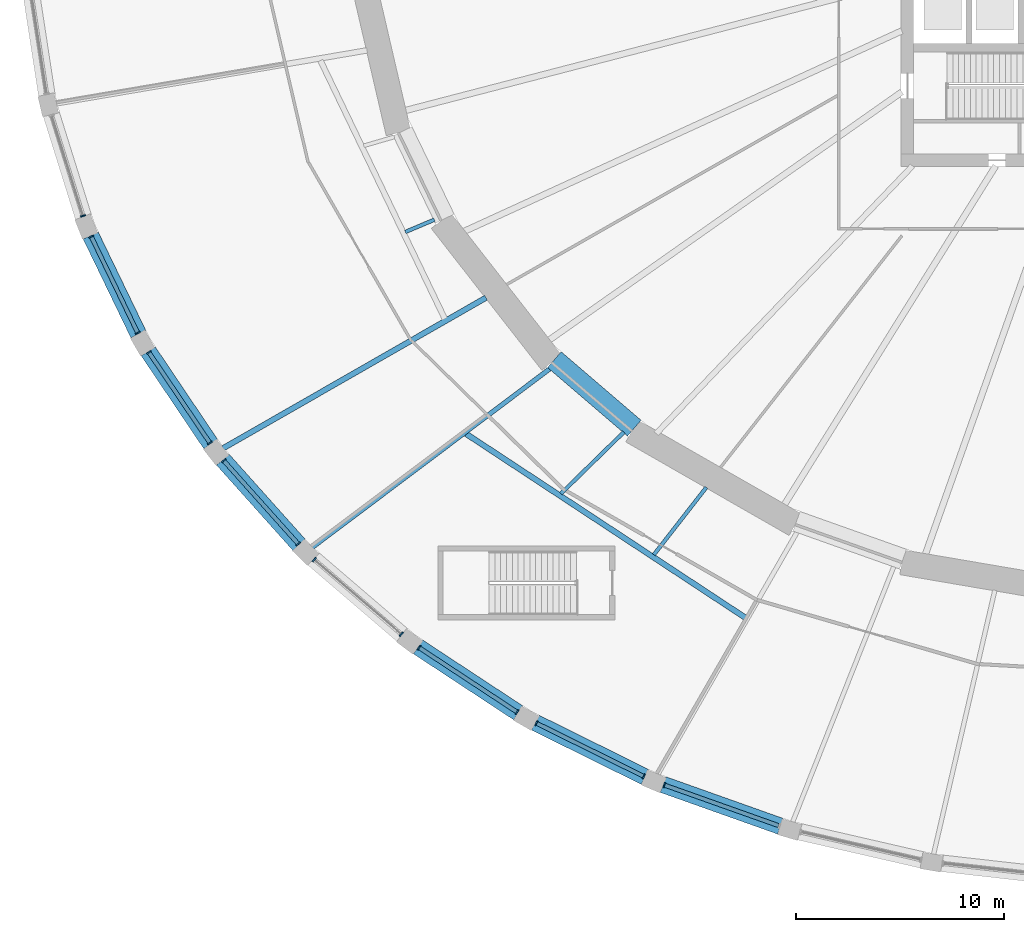
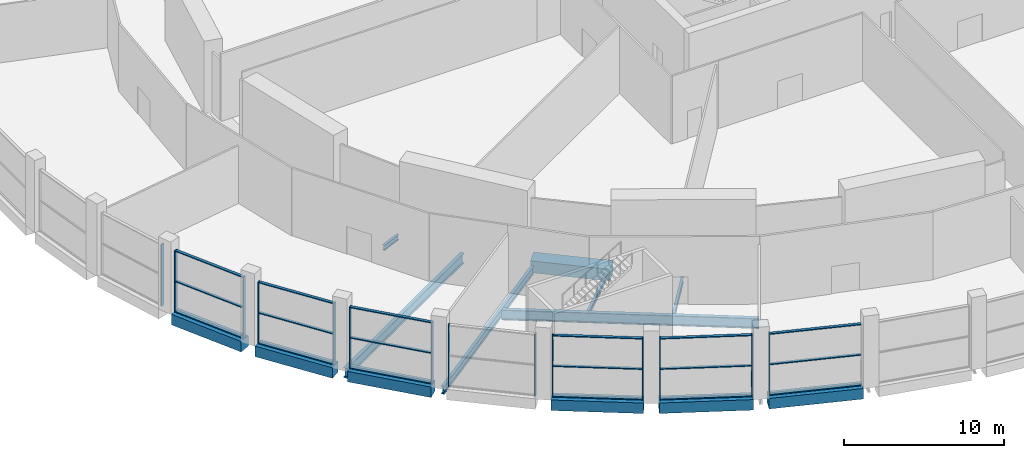
# One storey, part 2 of 29: 32 members, 13 beams, 8 elements without a shape of their own.
"""IFC4 building model written with IfcOpenShell, lengths in metres."""

from ifc_helpers import new_model, si_unit, direction, frame, origin, origin_2d, place, context, subcontext, project, spatial, rectangle, i_section, extrude, material, material_profile, profile_set, type_object, element, aggregate, save


model = new_model("IFC4")

# Units and contexts
model_context = context("Model", 3, precision=1e-05, world=origin(), true_north=direction((0.0, 1.0)))
body_context = subcontext(model_context, "Body", "Model", "MODEL_VIEW")
ifc_project = project(units=[si_unit("LENGTHUNIT", "METRE"), si_unit("AREAUNIT", "SQUARE_METRE"), si_unit("VOLUMEUNIT", "CUBIC_METRE"), si_unit("PLANEANGLEUNIT", "RADIAN"), si_unit("MASSUNIT", "GRAM", prefix="KILO")], contexts=[model_context])

# Site, building, storey
site_placement = place(None, origin())
site = spatial("IfcSite", under=ifc_project, at=site_placement, CompositionType="ELEMENT")
building_placement = place(site_placement, origin())
building = spatial("IfcBuilding", under=site, at=building_placement, Name="Halqa Exchange Tower", CompositionType="ELEMENT")
storey_placement = place(building_placement, frame((0.0, 0.0, 7.0)))
storey = spatial("IfcBuildingStorey", under=building, at=storey_placement, Name="L01", CompositionType="ELEMENT", Elevation=7.0)

# Curtain wall, member
ifc_material_1 = material(Name="Anodised aluminium and clear glass", Category="aluminium")
curtain_wall_type = type_object("IfcCurtainWallType", Name="Exchange hall glazing", PredefinedType="NOTDEFINED", material=ifc_material_1)
curtain_wall_1_placement = place(storey_placement, origin())
curtain_wall_1 = element("IfcCurtainWall", 1, at=curtain_wall_1_placement, inside=storey, type_object=curtain_wall_type, Name="Exchange hall glazing run P26", PredefinedType="NOTDEFINED")
ifc_material_2 = material(Name="Anodised aluminium", Category="aluminium")
ifc_material_profile_1 = material_profile(ifc_material_2, rectangle(XDim=0.25, YDim=0.070068359375, at=origin_2d()), Name="AL 70x250")
ifc_profile_set_1 = profile_set([ifc_material_profile_1], Name="Anodised aluminium")
member_type_1 = type_object("IfcMemberType", Name="Exchange hall glazing mullion 70 x 250", PredefinedType="MULLION", material=ifc_profile_set_1)
member_1_placement = place(storey_placement, frame((-51.293701171875, -14.3720703125, 0.0), z_axis=(0.0, 0.0, 1.0), x_axis=(0.95447130463, 0.298302746613, 0.0)))
member_1 = element("IfcMember", 2, at=member_1_placement, type_object=member_type_1, Name="P26 mullion 2", PredefinedType="MULLION", context=body_context, shape_type="SweptSolid", body=[
    extrude(rectangle(XDim=0.25, YDim=0.070068359375, at=origin_2d()), origin(), (0.0, 0.0, 1.0), 4.699951171875),
])
aggregate(curtain_wall_1, [member_1])

# Curtain wall, members
curtain_wall_2_placement = place(storey_placement, origin())
curtain_wall_2 = element("IfcCurtainWall", 3, at=curtain_wall_2_placement, inside=storey, type_object=curtain_wall_type, Name="Exchange hall glazing run P27", PredefinedType="NOTDEFINED")
member_2_placement = place(storey_placement, frame((-50.9013671875, -15.3642578125, 0.0), z_axis=(0.0, 0.0, 1.0), x_axis=(0.90043534892, 0.434989864727, 0.0)))
member_2 = element("IfcMember", 4, at=member_2_placement, type_object=member_type_1, Name="P27 mullion 1", PredefinedType="MULLION", context=body_context, shape_type="SweptSolid", body=[
    extrude(rectangle(XDim=0.25, YDim=0.070068359375, at=origin_2d()), origin(), (0.0, 0.0, 1.0), 4.699951171875),
])
member_3_placement = place(storey_placement, frame((-48.663818359375, -19.996337890625, 0.0), z_axis=(0.0, 0.0, 1.0), x_axis=(0.90043534892, 0.434989864727, 0.0)))
member_3 = element("IfcMember", 5, at=member_3_placement, type_object=member_type_1, Name="P27 mullion 2", PredefinedType="MULLION", context=body_context, shape_type="SweptSolid", body=[
    extrude(rectangle(XDim=0.25, YDim=0.070068359375, at=origin_2d()), origin(), (0.0, 0.0, 1.0), 4.699951171875),
])

curtain_wall_3_placement = place(storey_placement, origin())
curtain_wall_3 = element("IfcCurtainWall", 6, at=curtain_wall_3_placement, inside=storey, type_object=curtain_wall_type, Name="Exchange hall glazing run P28", PredefinedType="NOTDEFINED")
member_4_placement = place(storey_placement, frame((-48.13232421875, -20.921630859375, 0.0), z_axis=(0.0, 0.0, 1.0), x_axis=(0.8294895023, 0.55852230535, 0.0)))
member_4 = element("IfcMember", 7, at=member_4_placement, type_object=member_type_1, Name="P28 mullion 1", PredefinedType="MULLION", context=body_context, shape_type="SweptSolid", body=[
    extrude(rectangle(XDim=0.25, YDim=0.070068359375, at=origin_2d()), origin(), (0.0, 0.0, 1.0), 4.699951171875),
])
member_5_placement = place(storey_placement, frame((-45.1982421875, -25.279052734375, 0.0), z_axis=(0.0, 0.0, 1.0), x_axis=(0.8294895023, 0.55852230535, 0.0)))
member_5 = element("IfcMember", 8, at=member_5_placement, type_object=member_type_1, Name="P28 mullion 2", PredefinedType="MULLION", context=body_context, shape_type="SweptSolid", body=[
    extrude(rectangle(XDim=0.25, YDim=0.070068359375, at=origin_2d()), origin(), (0.0, 0.0, 1.0), 4.699951171875),
])

curtain_wall_4_placement = place(storey_placement, origin())
curtain_wall_4 = element("IfcCurtainWall", 9, at=curtain_wall_4_placement, inside=storey, type_object=curtain_wall_type, Name="Exchange hall glazing run P29", PredefinedType="NOTDEFINED")
member_6_placement = place(storey_placement, frame((-44.542724609375, -26.12158203125, 0.0), z_axis=(0.0, 0.0, 1.0), x_axis=(0.74514769466, 0.666899477539, 0.0)))
member_6 = element("IfcMember", 10, at=member_6_placement, type_object=member_type_1, Name="P29 mullion 1", PredefinedType="MULLION", context=body_context, shape_type="SweptSolid", body=[
    extrude(rectangle(XDim=0.25, YDim=0.070068359375, at=origin_2d()), origin(), (0.0, 0.0, 1.0), 4.699951171875),
])
member_7_placement = place(storey_placement, frame((-40.9560546875, -30.12890625, 0.0), z_axis=(0.0, 0.0, 1.0), x_axis=(0.74514769466, 0.666899477539, 0.0)))
member_7 = element("IfcMember", 11, at=member_7_placement, type_object=member_type_1, Name="P29 mullion 2", PredefinedType="MULLION", context=body_context, shape_type="SweptSolid", body=[
    extrude(rectangle(XDim=0.25, YDim=0.070068359375, at=origin_2d()), origin(), (0.0, 0.0, 1.0), 4.699951171875),
])

curtain_wall_5_placement = place(storey_placement, origin())
curtain_wall_5 = element("IfcCurtainWall", 12, at=curtain_wall_5_placement, inside=storey, type_object=curtain_wall_type, Name="Exchange hall glazing run P30", PredefinedType="NOTDEFINED")
member_8_placement = place(storey_placement, frame((-40.193115234375, -30.8759765625, 0.0), z_axis=(0.0, 0.0, 1.0), x_axis=(0.650910929175, 0.759154109704, 0.0)))
member_8 = element("IfcMember", 13, at=member_8_placement, type_object=member_type_1, Name="P30 mullion 1", PredefinedType="MULLION", context=body_context, shape_type="SweptSolid", body=[
    extrude(rectangle(XDim=0.25, YDim=0.070068359375, at=origin_2d()), origin(), (0.0, 0.0, 1.0), 4.699951171875),
])
member_9_placement = place(storey_placement, frame((-36.010986328125, -34.4619140625, 0.0), z_axis=(0.0, 0.0, 1.0), x_axis=(0.650910929175, 0.759154109704, 0.0)))
member_9 = element("IfcMember", 14, at=member_9_placement, type_object=member_type_1, Name="P30 mullion 2", PredefinedType="MULLION", context=body_context, shape_type="SweptSolid", body=[
    extrude(rectangle(XDim=0.25, YDim=0.070068359375, at=origin_2d()), origin(), (0.0, 0.0, 1.0), 4.699951171875),
])
aggregate(curtain_wall_5, [member_8, member_9])

curtain_wall_6_placement = place(storey_placement, origin())
curtain_wall_6 = element("IfcCurtainWall", 15, at=curtain_wall_6_placement, inside=storey, type_object=curtain_wall_type, Name="Exchange hall glazing run P31", PredefinedType="NOTDEFINED")
member_10_placement = place(storey_placement, frame((-35.15771484375, -35.104248046875, 0.0), z_axis=(0.0, 0.0, 1.0), x_axis=(0.549620040919, 0.835414753652, 0.0)))
member_10 = element("IfcMember", 16, at=member_10_placement, type_object=member_type_1, Name="P31 mullion 1", PredefinedType="MULLION", context=body_context, shape_type="SweptSolid", body=[
    extrude(rectangle(XDim=0.25, YDim=0.070068359375, at=origin_2d()), origin(), (0.0, 0.0, 1.0), 4.699951171875),
])
member_11_placement = place(storey_placement, frame((-30.44775390625, -38.202880859375, 0.0), z_axis=(0.0, 0.0, 1.0), x_axis=(0.549620040919, 0.835414753652, 0.0)))
member_11 = element("IfcMember", 17, at=member_11_placement, type_object=member_type_1, Name="P31 mullion 2", PredefinedType="MULLION", context=body_context, shape_type="SweptSolid", body=[
    extrude(rectangle(XDim=0.25, YDim=0.070068359375, at=origin_2d()), origin(), (0.0, 0.0, 1.0), 4.699951171875),
])

curtain_wall_7_placement = place(storey_placement, origin())
curtain_wall_7 = element("IfcCurtainWall", 18, at=curtain_wall_7_placement, inside=storey, type_object=curtain_wall_type, Name="Exchange hall glazing run P32", PredefinedType="NOTDEFINED")
member_12_placement = place(storey_placement, frame((-29.521240234375, -38.734375, 0.0), z_axis=(0.0, 0.0, 1.0), x_axis=(0.443653417058, 0.896198440934, 0.0)))
member_12 = element("IfcMember", 19, at=member_12_placement, type_object=member_type_1, Name="P32 mullion 1", PredefinedType="MULLION", context=body_context, shape_type="SweptSolid", body=[
    extrude(rectangle(XDim=0.25, YDim=0.070068359375, at=origin_2d()), origin(), (0.0, 0.0, 1.0), 4.699951171875),
])
member_13_placement = place(storey_placement, frame((-24.363037109375, -41.287841796875, 0.0), z_axis=(0.0, 0.0, 1.0), x_axis=(0.443653417058, 0.896198440934, 0.0)))
member_13 = element("IfcMember", 20, at=member_13_placement, type_object=member_type_1, Name="P32 mullion 2", PredefinedType="MULLION", context=body_context, shape_type="SweptSolid", body=[
    extrude(rectangle(XDim=0.25, YDim=0.070068359375, at=origin_2d()), origin(), (0.0, 0.0, 1.0), 4.699951171875),
])

# Curtain wall, member
curtain_wall_8_placement = place(storey_placement, origin())
curtain_wall_8 = element("IfcCurtainWall", 21, at=curtain_wall_8_placement, inside=storey, type_object=curtain_wall_type, Name="Exchange hall glazing run P33", PredefinedType="NOTDEFINED")
member_14_placement = place(storey_placement, frame((-23.37939453125, -41.7041015625, 0.0), z_axis=(0.0, 0.0, 1.0), x_axis=(0.334688348326, 0.942328875444, 0.0)))
member_14 = element("IfcMember", 22, at=member_14_placement, type_object=member_type_1, Name="P33 mullion 1", PredefinedType="MULLION", context=body_context, shape_type="SweptSolid", body=[
    extrude(rectangle(XDim=0.25, YDim=0.070068359375, at=origin_2d()), origin(), (0.0, 0.0, 1.0), 4.699951171875),
])

# Member
ifc_material_profile_2 = material_profile(ifc_material_2, rectangle(XDim=0.199951171875, YDim=0.070068359375, at=origin_2d()), Name="AL 70x200")
ifc_profile_set_2 = profile_set([ifc_material_profile_2], Name="Anodised aluminium")
member_type_2 = type_object("IfcMemberType", Name="Exchange hall glazing transom 70 x 200", PredefinedType="USERDEFINED", material=ifc_profile_set_2)
member_15_placement = place(storey_placement, frame((-50.88623046875, -15.395751953125, 0.034912109375), z_axis=(0.434989893806, -0.900435334872, 0.0), x_axis=(0.900435334872, 0.434989893806, 0.0)))
member_15 = element("IfcMember", 23, at=member_15_placement, type_object=member_type_2, Name="P27 transom 1.1", ObjectType="TRANSOM", PredefinedType="USERDEFINED", context=body_context, shape_type="SweptSolid", body=[
    extrude(rectangle(XDim=0.199951171875, YDim=0.070068359375, at=origin_2d()), origin(), (0.0, 0.0, 1.0), 5.07421875),
])

member_16_placement = place(storey_placement, frame((-50.88623046875, -15.395751953125, 2.35009765625), z_axis=(0.434989893806, -0.900435334872, 0.0), x_axis=(0.900435334872, 0.434989893806, 0.0)))
member_16 = element("IfcMember", 24, at=member_16_placement, type_object=member_type_2, Name="P27 transom 1.2", ObjectType="TRANSOM", PredefinedType="USERDEFINED", context=body_context, shape_type="SweptSolid", body=[
    extrude(rectangle(XDim=0.199951171875, YDim=0.070068359375, at=origin_2d()), origin(), (0.0, 0.0, 1.0), 5.07421875),
])

member_17_placement = place(storey_placement, frame((-50.88623046875, -15.395751953125, 4.6650390625), z_axis=(0.434989893806, -0.900435334872, 0.0), x_axis=(0.900435334872, 0.434989893806, 0.0)))
member_17 = element("IfcMember", 25, at=member_17_placement, type_object=member_type_2, Name="P27 transom 1.3", ObjectType="TRANSOM", PredefinedType="USERDEFINED", context=body_context, shape_type="SweptSolid", body=[
    extrude(rectangle(XDim=0.199951171875, YDim=0.070068359375, at=origin_2d()), origin(), (0.0, 0.0, 1.0), 5.07421875),
])

aggregate(curtain_wall_2, [member_2, member_3, member_15, member_16, member_17])

member_18_placement = place(storey_placement, frame((-48.11279296875, -20.95068359375, 0.034912109375), z_axis=(0.558520359636, -0.82949081241, 0.0), x_axis=(0.82949081241, 0.558520359636, 0.0)))
member_18 = element("IfcMember", 26, at=member_18_placement, type_object=member_type_2, Name="P28 transom 1.1", ObjectType="TRANSOM", PredefinedType="USERDEFINED", context=body_context, shape_type="SweptSolid", body=[
    extrude(rectangle(XDim=0.199951171875, YDim=0.070068359375, at=origin_2d()), origin(), (0.0, 0.0, 1.0), 5.183349609375),
])

member_19_placement = place(storey_placement, frame((-48.11279296875, -20.95068359375, 2.35009765625), z_axis=(0.558520359636, -0.82949081241, 0.0), x_axis=(0.82949081241, 0.558520359636, 0.0)))
member_19 = element("IfcMember", 27, at=member_19_placement, type_object=member_type_2, Name="P28 transom 1.2", ObjectType="TRANSOM", PredefinedType="USERDEFINED", context=body_context, shape_type="SweptSolid", body=[
    extrude(rectangle(XDim=0.199951171875, YDim=0.070068359375, at=origin_2d()), origin(), (0.0, 0.0, 1.0), 5.183349609375),
])

member_20_placement = place(storey_placement, frame((-48.11279296875, -20.95068359375, 4.6650390625), z_axis=(0.558520359636, -0.82949081241, 0.0), x_axis=(0.82949081241, 0.558520359636, 0.0)))
member_20 = element("IfcMember", 28, at=member_20_placement, type_object=member_type_2, Name="P28 transom 1.3", ObjectType="TRANSOM", PredefinedType="USERDEFINED", context=body_context, shape_type="SweptSolid", body=[
    extrude(rectangle(XDim=0.199951171875, YDim=0.070068359375, at=origin_2d()), origin(), (0.0, 0.0, 1.0), 5.183349609375),
])

aggregate(curtain_wall_3, [member_4, member_5, member_18, member_19, member_20])

member_21_placement = place(storey_placement, frame((-44.519287109375, -26.147705078125, 0.034912109375), z_axis=(0.666880900978, -0.745164320074, 0.0), x_axis=(0.745164320074, 0.666880900978, 0.0)))
member_21 = element("IfcMember", 29, at=member_21_placement, type_object=member_type_2, Name="P29 transom 1.1", ObjectType="TRANSOM", PredefinedType="USERDEFINED", context=body_context, shape_type="SweptSolid", body=[
    extrude(rectangle(XDim=0.199951171875, YDim=0.070068359375, at=origin_2d()), origin(), (0.0, 0.0, 1.0), 5.30810546875),
])

member_22_placement = place(storey_placement, frame((-44.519287109375, -26.147705078125, 2.35009765625), z_axis=(0.666880900978, -0.745164320074, 0.0), x_axis=(0.745164320074, 0.666880900978, 0.0)))
member_22 = element("IfcMember", 30, at=member_22_placement, type_object=member_type_2, Name="P29 transom 1.2", ObjectType="TRANSOM", PredefinedType="USERDEFINED", context=body_context, shape_type="SweptSolid", body=[
    extrude(rectangle(XDim=0.199951171875, YDim=0.070068359375, at=origin_2d()), origin(), (0.0, 0.0, 1.0), 5.30810546875),
])

member_23_placement = place(storey_placement, frame((-44.519287109375, -26.147705078125, 4.6650390625), z_axis=(0.666880900978, -0.745164320074, 0.0), x_axis=(0.745164320074, 0.666880900978, 0.0)))
member_23 = element("IfcMember", 31, at=member_23_placement, type_object=member_type_2, Name="P29 transom 1.3", ObjectType="TRANSOM", PredefinedType="USERDEFINED", context=body_context, shape_type="SweptSolid", body=[
    extrude(rectangle(XDim=0.199951171875, YDim=0.070068359375, at=origin_2d()), origin(), (0.0, 0.0, 1.0), 5.30810546875),
])

aggregate(curtain_wall_4, [member_6, member_7, member_21, member_22, member_23])

member_24_placement = place(storey_placement, frame((-35.12841796875, -35.12353515625, 0.034912109375), z_axis=(0.835401187087, -0.549640661355, 0.0), x_axis=(0.549640661355, 0.835401187087, 0.0)))
member_24 = element("IfcMember", 32, at=member_24_placement, type_object=member_type_2, Name="P31 transom 1.1", ObjectType="TRANSOM", PredefinedType="USERDEFINED", context=body_context, shape_type="SweptSolid", body=[
    extrude(rectangle(XDim=0.199951171875, YDim=0.070068359375, at=origin_2d()), origin(), (0.0, 0.0, 1.0), 5.56787109375),
])

member_25_placement = place(storey_placement, frame((-35.12841796875, -35.12353515625, 2.35009765625), z_axis=(0.835401187087, -0.549640661355, 0.0), x_axis=(0.549640661355, 0.835401187087, 0.0)))
member_25 = element("IfcMember", 33, at=member_25_placement, type_object=member_type_2, Name="P31 transom 1.2", ObjectType="TRANSOM", PredefinedType="USERDEFINED", context=body_context, shape_type="SweptSolid", body=[
    extrude(rectangle(XDim=0.199951171875, YDim=0.070068359375, at=origin_2d()), origin(), (0.0, 0.0, 1.0), 5.56787109375),
])

member_26_placement = place(storey_placement, frame((-35.12841796875, -35.12353515625, 4.6650390625), z_axis=(0.835401187087, -0.549640661355, 0.0), x_axis=(0.549640661355, 0.835401187087, 0.0)))
member_26 = element("IfcMember", 34, at=member_26_placement, type_object=member_type_2, Name="P31 transom 1.3", ObjectType="TRANSOM", PredefinedType="USERDEFINED", context=body_context, shape_type="SweptSolid", body=[
    extrude(rectangle(XDim=0.199951171875, YDim=0.070068359375, at=origin_2d()), origin(), (0.0, 0.0, 1.0), 5.56787109375),
])

aggregate(curtain_wall_6, [member_10, member_11, member_24, member_25, member_26])

member_27_placement = place(storey_placement, frame((-29.489990234375, -38.749755859375, 0.034912109375), z_axis=(0.89618076134, -0.443689128788, 0.0), x_axis=(0.443689128788, 0.89618076134, 0.0)))
member_27 = element("IfcMember", 35, at=member_27_placement, type_object=member_type_2, Name="P32 transom 1.1", ObjectType="TRANSOM", PredefinedType="USERDEFINED", context=body_context, shape_type="SweptSolid", body=[
    extrude(rectangle(XDim=0.199951171875, YDim=0.070068359375, at=origin_2d()), origin(), (0.0, 0.0, 1.0), 5.685791015625),
])

member_28_placement = place(storey_placement, frame((-29.489990234375, -38.749755859375, 2.35009765625), z_axis=(0.89618076134, -0.443689128788, 0.0), x_axis=(0.443689128788, 0.89618076134, 0.0)))
member_28 = element("IfcMember", 36, at=member_28_placement, type_object=member_type_2, Name="P32 transom 1.2", ObjectType="TRANSOM", PredefinedType="USERDEFINED", context=body_context, shape_type="SweptSolid", body=[
    extrude(rectangle(XDim=0.199951171875, YDim=0.070068359375, at=origin_2d()), origin(), (0.0, 0.0, 1.0), 5.685791015625),
])

member_29_placement = place(storey_placement, frame((-29.489990234375, -38.749755859375, 4.6650390625), z_axis=(0.89618076134, -0.443689128788, 0.0), x_axis=(0.443689128788, 0.89618076134, 0.0)))
member_29 = element("IfcMember", 37, at=member_29_placement, type_object=member_type_2, Name="P32 transom 1.3", ObjectType="TRANSOM", PredefinedType="USERDEFINED", context=body_context, shape_type="SweptSolid", body=[
    extrude(rectangle(XDim=0.199951171875, YDim=0.070068359375, at=origin_2d()), origin(), (0.0, 0.0, 1.0), 5.685791015625),
])

aggregate(curtain_wall_7, [member_12, member_13, member_27, member_28, member_29])

member_30_placement = place(storey_placement, frame((-23.346435546875, -41.7158203125, 0.034912109375), z_axis=(0.942328600126, -0.334689123493, 0.0), x_axis=(0.334689123493, 0.942328600126, 0.0)))
member_30 = element("IfcMember", 38, at=member_30_placement, type_object=member_type_2, Name="P33 transom 1.1", ObjectType="TRANSOM", PredefinedType="USERDEFINED", context=body_context, shape_type="SweptSolid", body=[
    extrude(rectangle(XDim=0.199951171875, YDim=0.070068359375, at=origin_2d()), origin(), (0.0, 0.0, 1.0), 5.785400390625),
])

member_31_placement = place(storey_placement, frame((-23.346435546875, -41.7158203125, 2.35009765625), z_axis=(0.942328600126, -0.334689123493, 0.0), x_axis=(0.334689123493, 0.942328600126, 0.0)))
member_31 = element("IfcMember", 39, at=member_31_placement, type_object=member_type_2, Name="P33 transom 1.2", ObjectType="TRANSOM", PredefinedType="USERDEFINED", context=body_context, shape_type="SweptSolid", body=[
    extrude(rectangle(XDim=0.199951171875, YDim=0.070068359375, at=origin_2d()), origin(), (0.0, 0.0, 1.0), 5.785400390625),
])

member_32_placement = place(storey_placement, frame((-23.346435546875, -41.7158203125, 4.6650390625), z_axis=(0.942328600126, -0.334689123493, 0.0), x_axis=(0.334689123493, 0.942328600126, 0.0)))
member_32 = element("IfcMember", 40, at=member_32_placement, type_object=member_type_2, Name="P33 transom 1.3", ObjectType="TRANSOM", PredefinedType="USERDEFINED", context=body_context, shape_type="SweptSolid", body=[
    extrude(rectangle(XDim=0.199951171875, YDim=0.070068359375, at=origin_2d()), origin(), (0.0, 0.0, 1.0), 5.785400390625),
])

aggregate(curtain_wall_8, [member_14, member_30, member_31, member_32])

# Beams
ifc_material_3 = material(Name="Steel S355", Category="steel")
ifc_material_profile_3 = material_profile(ifc_material_3, i_section(OverallWidth=0.179931640625, OverallDepth=0.39990234375, WebThickness=0.008544921875, FlangeThickness=0.013427734375, FilletRadius=0.02099609375, at=origin_2d()), Name="IPE 400")
ifc_profile_set_3 = profile_set([ifc_material_profile_3], Name="Steel S355")
beam_type_1 = type_object("IfcBeamType", Name="Floor beam IPE 400", PredefinedType="BEAM", material=ifc_profile_set_3)
beam_1_placement = place(storey_placement, frame((-25.322265625, -24.757080078125, -0.550048828125), z_axis=(-0.715007310884, -0.699116975464, 0.0), x_axis=(0.699116975464, -0.715007310884, 0.0)))
element("IfcBeam", 41, at=beam_1_placement, inside=storey, type_object=beam_type_1, Name="Radial beam 31a", PredefinedType="BEAM", context=body_context, shape_type="SweptSolid", body=[
    extrude(i_section(OverallWidth=0.179931640625, OverallDepth=0.39990234375, WebThickness=0.008544921875, FlangeThickness=0.013427734375, FilletRadius=0.02099609375, at=origin_2d()), origin(), (0.0, 0.0, 1.0), 4.22509765625),
])
beam_2_placement = place(storey_placement, frame((-21.3603515625, -27.40966796875, -0.550048828125), z_axis=(-0.614706293657, -0.788756091919, 0.0), x_axis=(0.788756091919, -0.614706293657, 0.0)))
element("IfcBeam", 42, at=beam_2_placement, inside=storey, type_object=beam_type_1, Name="Radial beam 32a", PredefinedType="BEAM", context=body_context, shape_type="SweptSolid", body=[
    extrude(i_section(OverallWidth=0.179931640625, OverallDepth=0.39990234375, WebThickness=0.008544921875, FlangeThickness=0.013427734375, FilletRadius=0.02099609375, at=origin_2d()), origin(), (0.0, 0.0, 1.0), 4.104248046875),
])
beam_3_placement = place(storey_placement, frame((-34.423583984375, -14.555419921875, -0.550048828125), z_axis=(-0.921076708702, -0.389381171459, 0.0), x_axis=(0.389381171459, -0.921076708702, 0.0)))
element("IfcBeam", 43, at=beam_3_placement, inside=storey, type_object=beam_type_1, Name="Radial beam 28a", PredefinedType="BEAM", context=body_context, shape_type="SweptSolid", body=[
    extrude(i_section(OverallWidth=0.179931640625, OverallDepth=0.39990234375, WebThickness=0.008544921875, FlangeThickness=0.013427734375, FilletRadius=0.02099609375, at=origin_2d()), origin(), (0.0, 0.0, 1.0), 1.5078125),
])
ifc_material_profile_4 = material_profile(ifc_material_3, i_section(OverallWidth=0.219970703125, OverallDepth=0.60009765625, WebThickness=0.011962890625, FlangeThickness=0.01904296875, FilletRadius=0.02392578125, at=origin_2d()), Name="IPE 600")
ifc_profile_set_4 = profile_set([ifc_material_profile_4], Name="Steel S355")
beam_type_2 = type_object("IfcBeamType", Name="Floor beam IPE 600", PredefinedType="BEAM", material=ifc_profile_set_4)
beam_4_placement = place(storey_placement, frame((-28.875732421875, -21.71240234375, -0.64990234375), z_axis=(-0.799257291391, -0.600989003359, 0.0), x_axis=(0.600989003359, -0.799257291391, 0.0)))
element("IfcBeam", 44, at=beam_4_placement, inside=storey, type_object=beam_type_2, Name="Radial beam 30", PredefinedType="BEAM", context=body_context, shape_type="SweptSolid", body=[
    extrude(i_section(OverallWidth=0.219970703125, OverallDepth=0.60009765625, WebThickness=0.011962890625, FlangeThickness=0.01904296875, FilletRadius=0.02392578125, at=origin_2d()), origin(), (0.0, 0.0, 1.0), 14.291259765625),
])
ifc_material_profile_5 = material_profile(ifc_material_3, i_section(OverallWidth=0.264892578125, OverallDepth=0.7529296875, WebThickness=0.01318359375, FlangeThickness=0.01708984375, FilletRadius=0.01708984375, at=origin_2d()), Name="IPE 750x147")
ifc_profile_set_5 = profile_set([ifc_material_profile_5], Name="Steel S355")
beam_type_3 = type_object("IfcBeamType", Name="Floor beam IPE 750x147", PredefinedType="BEAM", material=ifc_profile_set_5)
beam_5_placement = place(storey_placement, frame((-31.942626953125, -18.300048828125, -0.7265625), z_axis=(-0.867691436398, -0.497103179633, 0.0), x_axis=(0.497103179633, -0.867691436398, 0.0)))
element("IfcBeam", 45, at=beam_5_placement, inside=storey, type_object=beam_type_3, Name="Radial beam 29", PredefinedType="BEAM", context=body_context, shape_type="SweptSolid", body=[
    extrude(i_section(OverallWidth=0.264892578125, OverallDepth=0.7529296875, WebThickness=0.01318359375, FlangeThickness=0.01708984375, FilletRadius=0.01708984375, at=origin_2d()), origin(), (0.0, 0.0, 1.0), 14.555908203125),
])
ifc_material_profile_6 = material_profile(ifc_material_3, i_section(OverallWidth=0.26806640625, OverallDepth=0.77001953125, WebThickness=0.015625, FlangeThickness=0.025390625, FilletRadius=0.01708984375, at=origin_2d()), Name="IPE 750x196")
ifc_profile_set_6 = profile_set([ifc_material_profile_6], Name="Steel S355")
beam_type_4 = type_object("IfcBeamType", Name="Floor beam IPE 750x196", PredefinedType="BEAM", material=ifc_profile_set_6)
beam_6_placement = place(storey_placement, frame((-32.896728515625, -24.839599609375, -0.735107421875), z_axis=(0.835204203593, -0.54993994063, 0.0), x_axis=(0.54993994063, 0.835204203593, 0.0)))
element("IfcBeam", 46, at=beam_6_placement, inside=storey, type_object=beam_type_4, Name="Radial beam TPS4-in", PredefinedType="BEAM", context=body_context, shape_type="SweptSolid", body=[
    extrude(i_section(OverallWidth=0.26806640625, OverallDepth=0.77001953125, WebThickness=0.015625, FlangeThickness=0.025390625, FilletRadius=0.01708984375, at=origin_2d()), origin(), (0.0, 0.0, 1.0), 16.07958984375),
])
ifc_material_4 = material(Name="Concrete C60/75", Category="concrete")
ifc_material_profile_7 = material_profile(ifc_material_4, rectangle(XDim=0.800048828125, YDim=0.800048828125, at=origin_2d()), Name="800 x 800")
ifc_profile_set_7 = profile_set([ifc_material_profile_7], Name="Concrete C60/75")
beam_type_5 = type_object("IfcBeamType", Name="RC podium edge beam 800 x 800 C60/75", PredefinedType="SPANDREL", material=ifc_profile_set_7)
beam_7_placement = place(storey_placement, frame((-50.92822265625, -15.308837890625, -0.39990234375), z_axis=(0.43497328232, -0.9004433595, 0.0), x_axis=(0.9004433595, 0.43497328232, 0.0)))
element("IfcBeam", 47, at=beam_7_placement, inside=storey, type_object=beam_type_5, Name="Podium edge beam 27", PredefinedType="SPANDREL", context=body_context, shape_type="SweptSolid", body=[
    extrude(rectangle(XDim=0.800048828125, YDim=0.800048828125, at=origin_2d()), origin(), (0.0, 0.0, 1.0), 5.267578125),
])
beam_8_placement = place(storey_placement, frame((-48.1669921875, -20.8701171875, -0.39990234375), z_axis=(0.558528358221, -0.829485426673, 0.0), x_axis=(0.829485426673, 0.558528358221, 0.0)))
element("IfcBeam", 48, at=beam_8_placement, inside=storey, type_object=beam_type_5, Name="Podium edge beam 28", PredefinedType="SPANDREL", context=body_context, shape_type="SweptSolid", body=[
    extrude(rectangle(XDim=0.800048828125, YDim=0.800048828125, at=origin_2d()), origin(), (0.0, 0.0, 1.0), 5.378173828125),
])
beam_9_placement = place(storey_placement, frame((-44.58349609375, -26.075927734375, -0.39990234375), z_axis=(0.666902525907, -0.745144966392, 0.0), x_axis=(0.745144966392, 0.666902525907, 0.0)))
element("IfcBeam", 49, at=beam_9_placement, inside=storey, type_object=beam_type_5, Name="Podium edge beam 29", PredefinedType="SPANDREL", context=body_context, shape_type="SweptSolid", body=[
    extrude(rectangle(XDim=0.800048828125, YDim=0.800048828125, at=origin_2d()), origin(), (0.0, 0.0, 1.0), 5.501220703125),
])
beam_10_placement = place(storey_placement, frame((-35.208984375, -35.070556640625, -0.39990234375), z_axis=(0.835418618456, -0.549614166426, 0.0), x_axis=(0.549614166426, 0.835418618456, 0.0)))
element("IfcBeam", 50, at=beam_10_placement, inside=storey, type_object=beam_type_5, Name="Podium edge beam 31", PredefinedType="SPANDREL", context=body_context, shape_type="SweptSolid", body=[
    extrude(rectangle(XDim=0.800048828125, YDim=0.800048828125, at=origin_2d()), origin(), (0.0, 0.0, 1.0), 5.760986328125),
])
beam_11_placement = place(storey_placement, frame((-29.576904296875, -38.706787109375, -0.39990234375), z_axis=(0.896205416004, -0.443639326847, 0.0), x_axis=(0.443639326847, 0.896205416004, 0.0)))
element("IfcBeam", 51, at=beam_11_placement, inside=storey, type_object=beam_type_5, Name="Podium edge beam 32", PredefinedType="SPANDREL", context=body_context, shape_type="SweptSolid", body=[
    extrude(rectangle(XDim=0.800048828125, YDim=0.800048828125, at=origin_2d()), origin(), (0.0, 0.0, 1.0), 5.880126953125),
])
beam_12_placement = place(storey_placement, frame((-23.4384765625, -41.683349609375, -0.39990234375), z_axis=(0.942343471221, -0.334647250469, 0.0), x_axis=(0.334647250469, 0.942343471221, 0.0)))
element("IfcBeam", 52, at=beam_12_placement, inside=storey, type_object=beam_type_5, Name="Podium edge beam 33", PredefinedType="SPANDREL", context=body_context, shape_type="SweptSolid", body=[
    extrude(rectangle(XDim=0.800048828125, YDim=0.800048828125, at=origin_2d()), origin(), (0.0, 0.0, 1.0), 5.980712890625),
])
ifc_material_profile_8 = material_profile(ifc_material_4, rectangle(XDim=1.0, YDim=0.89990234375, at=origin_2d()), Name="1000 x 900")
ifc_profile_set_8 = profile_set([ifc_material_profile_8], Name="Concrete C60/75")
beam_type_6 = type_object("IfcBeamType", Name="RC spandrel beam 1000 x 900 C60/75", PredefinedType="SPANDREL", material=ifc_profile_set_8)
beam_13_placement = place(storey_placement, frame((-28.659423828125, -21.27587890625, -0.449951171875), z_axis=(0.759263417999, -0.650783421799, 0.0), x_axis=(0.650783421799, 0.759263417999, 0.0)))
element("IfcBeam", 53, at=beam_13_placement, inside=storey, type_object=beam_type_6, Name="Spandrel 20", PredefinedType="SPANDREL", context=body_context, shape_type="SweptSolid", body=[
    extrude(rectangle(XDim=1.0, YDim=0.89990234375, at=origin_2d()), origin(), (0.0, 0.0, 1.0), 5.056884765625),
])

save(model, "model.ifc")
